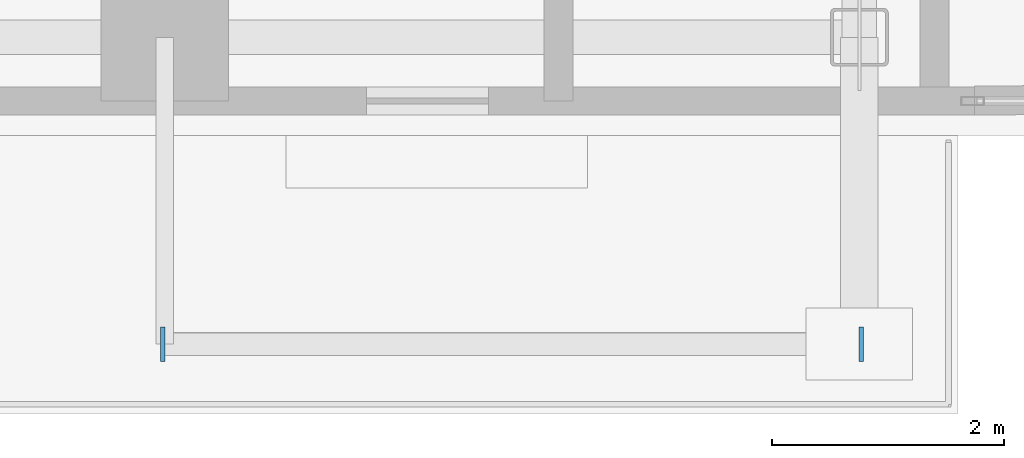
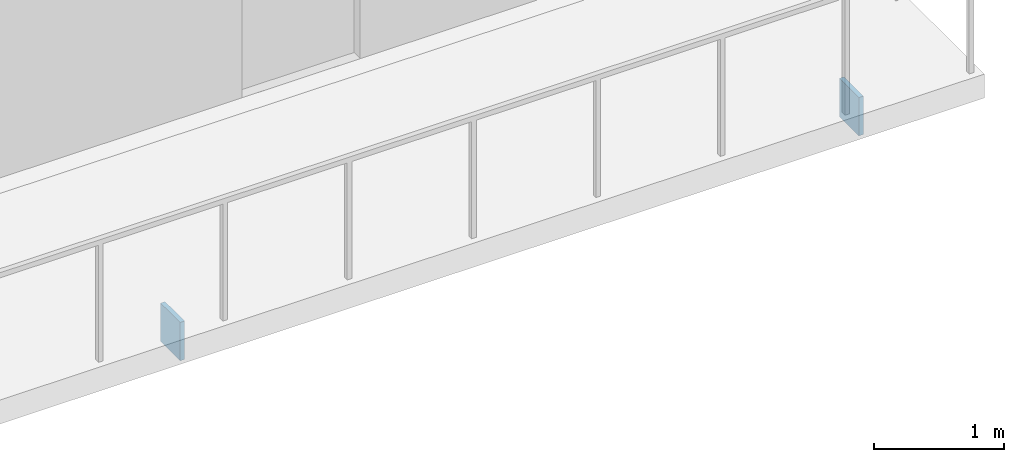
# One storey, part 20 of 28: 2 plates.
"""IFC4 building model written with IfcOpenShell, lengths in metres."""

from ifc_helpers import new_model, si_unit, direction, frame, origin, origin_2d, place, context, subcontext, project, spatial, rectangle, extrude, material, layer, layer_set, type_object, element, save


model = new_model("IFC4")

# Units and contexts
model_context = context("Model", 3, precision=1e-05, world=origin(), true_north=direction((0.0, 1.0)))
body_context = subcontext(model_context, "Body", "Model", "MODEL_VIEW")
ifc_project = project(units=[si_unit("LENGTHUNIT", "METRE"), si_unit("AREAUNIT", "SQUARE_METRE"), si_unit("VOLUMEUNIT", "CUBIC_METRE"), si_unit("PLANEANGLEUNIT", "RADIAN"), si_unit("MASSUNIT", "GRAM", prefix="KILO"), si_unit("THERMODYNAMICTEMPERATUREUNIT", "KELVIN"), si_unit("POWERUNIT", "WATT")], contexts=[model_context])

# Site, building, storey
site_placement = place(None, origin())
site = spatial("IfcSite", under=ifc_project, at=site_placement, CompositionType="ELEMENT")
building_placement = place(site_placement, origin())
building = spatial("IfcBuilding", under=site, at=building_placement, Name="Svarakhadi Broadcast Tower", CompositionType="ELEMENT")
storey_placement = place(building_placement, frame((0.0, 0.0, 134.39990234375)))
storey = spatial("IfcBuildingStorey", under=building, at=storey_placement, Name="L32", CompositionType="ELEMENT", Elevation=134.39990234375)

# Plates
ifc_material = material(Name="Steel S460ML (IS 2062 E450BR)", Category="steel")
ifc_layer = layer(ifc_material, 0.028076171875)
ifc_layer_set = layer_set([ifc_layer], Name="Steel S460ML (IS 2062 E450BR)")
plate_type = type_object("IfcPlateType", Name="Cap_Plate_CP02", PredefinedType="USERDEFINED", material=ifc_layer_set)
for number, where, z_axis, x_axis, name in (
    (1, (35.135009765625, -1.800048828125, -0.55517578125), (0.0, 0.0, 1.0), (1.0, 0.0, 0.0), "L32 Balcony Spandrel End Cap Plate 1F-A"),
    (2, (41.1650390625, -1.800048828125, -0.55517578125), (0.0, 0.0, 1.0), (1.0, 0.0, 0.0), "L32 Balcony Spandrel End Cap Plate 1F-B"),
):
    element("IfcPlate", number, at=place(storey_placement, frame(where, z_axis=z_axis, x_axis=x_axis)), inside=storey, type_object=plate_type, Name=name, ObjectType="FLANGE_PLATE", PredefinedType="USERDEFINED", context=body_context, shape_type="SweptSolid", body=[
        extrude(rectangle(XDim=0.0400390625, YDim=0.300048828125, at=origin_2d()), origin(), (0.0, 0.0, 1.0), 0.360107421875),
    ])

save(model, "model.ifc")
